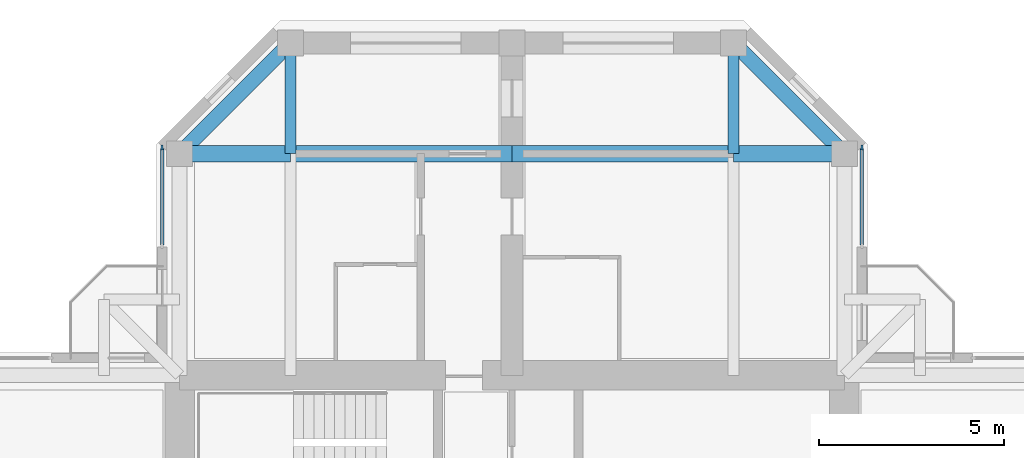
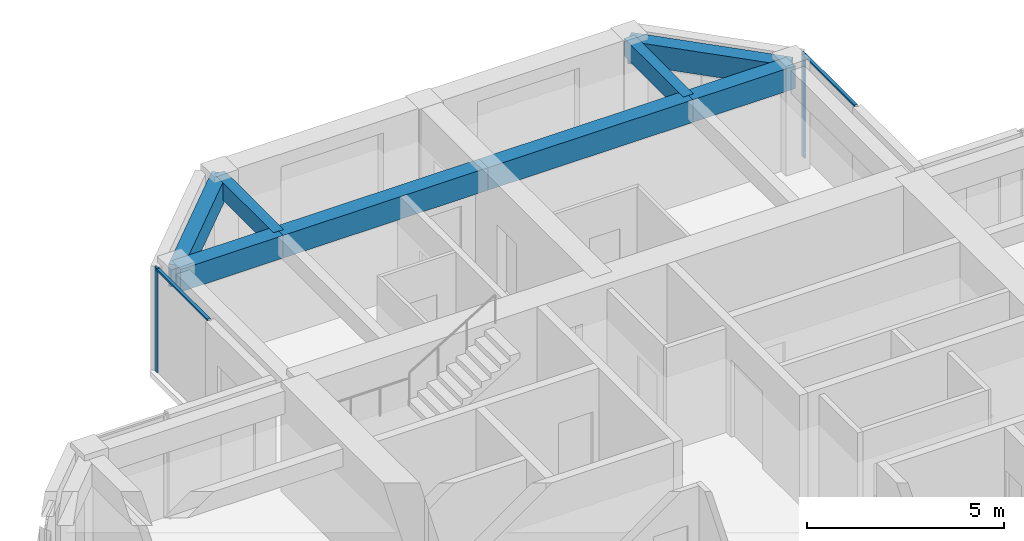
# One storey, part 6 of 13: 8 beams, 4 members, 2 elements without a shape of their own.
"""IFC4 building model written with IfcOpenShell, lengths in metres."""

from ifc_helpers import new_model, si_unit, direction, frame, origin, origin_2d, place, context, subcontext, project, spatial, rectangle, extrude, material, material_profile, profile_set, type_object, element, aggregate, save


model = new_model("IFC4")

# Units and contexts
model_context = context("Model", 3, precision=1e-05, world=origin(), true_north=direction((0.0, 1.0)))
body_context = subcontext(model_context, "Body", "Model", "MODEL_VIEW")
ifc_project = project(units=[si_unit("LENGTHUNIT", "METRE"), si_unit("AREAUNIT", "SQUARE_METRE"), si_unit("VOLUMEUNIT", "CUBIC_METRE"), si_unit("PLANEANGLEUNIT", "RADIAN"), si_unit("MASSUNIT", "GRAM", prefix="KILO")], contexts=[model_context])

# Site, building, storey
site_placement = place(None, origin())
site = spatial("IfcSite", under=ifc_project, at=site_placement, CompositionType="ELEMENT")
building_placement = place(site_placement, origin())
building = spatial("IfcBuilding", under=site, at=building_placement, Name="Torre Cruceta", CompositionType="ELEMENT")
storey_placement = place(building_placement, frame((0.0, 0.0, 271.300048828125)))
storey = spatial("IfcBuildingStorey", under=building, at=storey_placement, Name="L70", CompositionType="ELEMENT", Elevation=271.300048828125)

# Beams
ifc_material_1 = material(Name="Concrete G60 (fck 60 MPa)", Category="concrete")
ifc_material_profile_1 = material_profile(ifc_material_1, rectangle(XDim=0.300048828125, YDim=0.550048828125, at=origin_2d()), Name="RC 300X550")
ifc_profile_set_1 = profile_set([ifc_material_profile_1], Name="Concrete G60 (fck 60 MPa)")
beam_type_1 = type_object("IfcBeamType", Name="COLUMN LINE BEAM RC 300X550", PredefinedType="BEAM", material=ifc_profile_set_1)
for number, where, z_axis, x_axis, name in (
    (1, (6.0, 15.0, 2.945068359375), (0.0, 1.0, 0.0), (-1.0, 0.0, 0.0), "LB10 L70 N col- 2"),
    (2, (-6.0, 15.0, 2.945068359375), (0.0, 1.0, 0.0), (-1.0, 0.0, 0.0), "LB10 L70 N col+ 2"),
):
    element("IfcBeam", number, at=place(storey_placement, frame(where, z_axis=z_axis, x_axis=x_axis)), inside=storey, type_object=beam_type_1, Name=name, PredefinedType="BEAM", context=body_context, shape_type="SweptSolid", body=[
        extrude(rectangle(XDim=0.300048828125, YDim=0.550048828125, at=origin_2d()), origin(), (0.0, 0.0, 1.0), 3.0),
    ])
ifc_material_2 = material(Name="Concrete G60 (fck 60 MPa)", Category="concrete")
ifc_material_profile_2 = material_profile(ifc_material_2, rectangle(XDim=0.449951171875, YDim=0.699951171875, at=origin_2d()), Name="RC 450X700")
ifc_profile_set_2 = profile_set([ifc_material_profile_2], Name="Concrete G60 (fck 60 MPa)")
beam_type_2 = type_object("IfcBeamType", Name="CROSS BEAM RC 450X700", PredefinedType="BEAM", material=ifc_profile_set_2)
beam_1_placement = place(storey_placement, frame((9.0, 15.0, 2.869873046875), z_axis=(-1.0, 0.0, 0.0), x_axis=(0.0, -1.0, 0.0)))
element("IfcBeam", 3, at=beam_1_placement, inside=storey, type_object=beam_type_2, Name="GB8 L70 N cross15 1", PredefinedType="BEAM", context=body_context, shape_type="SweptSolid", body=[
    extrude(rectangle(XDim=0.449951171875, YDim=0.699951171875, at=origin_2d()), origin(), (0.0, 0.0, 1.0), 3.0),
])
for number, where, z_axis, x_axis, name in (
    (4, (6.0, 15.0, 2.869873046875), (-1.0, 0.0, 0.0), (0.0, -1.0, 0.0), "GB8 L70 N cross15 2"),
    (5, (0.0, 15.0, 2.869873046875), (-1.0, 0.0, 0.0), (0.0, -1.0, 0.0), "GB8 L70 N cross15 3"),
):
    element("IfcBeam", number, at=place(storey_placement, frame(where, z_axis=z_axis, x_axis=x_axis)), inside=storey, type_object=beam_type_2, Name=name, PredefinedType="BEAM", context=body_context, shape_type="SweptSolid", body=[
        extrude(rectangle(XDim=0.449951171875, YDim=0.699951171875, at=origin_2d()), origin(), (0.0, 0.0, 1.0), 6.0),
    ])
beam_2_placement = place(storey_placement, frame((-6.0, 15.0, 2.869873046875), z_axis=(-1.0, 0.0, 0.0), x_axis=(0.0, -1.0, 0.0)))
element("IfcBeam", 6, at=beam_2_placement, inside=storey, type_object=beam_type_2, Name="GB8 L70 N cross15 4", PredefinedType="BEAM", context=body_context, shape_type="SweptSolid", body=[
    extrude(rectangle(XDim=0.449951171875, YDim=0.699951171875, at=origin_2d()), origin(), (0.0, 0.0, 1.0), 3.0),
])

# Curtain wall, member
ifc_material_3 = material(Name="Aluminium unitised curtain wall", Category="aluminium")
curtain_wall_type = type_object("IfcCurtainWallType", Name="CURTAIN WALL CW-E CO-LIVING TOP", PredefinedType="USERDEFINED", material=ifc_material_3)
curtain_wall_1_placement = place(storey_placement, origin())
curtain_wall_1 = element("IfcCurtainWall", 7, at=curtain_wall_1_placement, inside=storey, type_object=curtain_wall_type, Name="CW-E L70 N side 05", ObjectType="UNITISED", PredefinedType="USERDEFINED")
ifc_material_4 = material(Name="Aluminium mullion", Category="aluminium")
ifc_material_profile_3 = material_profile(ifc_material_4, rectangle(XDim=0.054931640625, YDim=0.139892578125, at=origin_2d()), Name="AL 55X140")
ifc_profile_set_3 = profile_set([ifc_material_profile_3], Name="Aluminium mullion")
member_type_1 = type_object("IfcMemberType", Name="CW-E MULLION 55X140", PredefinedType="MULLION", material=ifc_profile_set_3)
member_1_placement = place(storey_placement, frame((9.469970703125, 15.167236328125, 0.0), z_axis=(0.0, 0.0, 1.0), x_axis=(-1.0, 0.0, 0.0)))
member_1 = element("IfcMember", 8, at=member_1_placement, type_object=member_type_1, Name="CW-E mullion 2", PredefinedType="MULLION", context=body_context, shape_type="SweptSolid", body=[
    extrude(rectangle(XDim=0.054931640625, YDim=0.139892578125, at=origin_2d()), origin(), (0.0, 0.0, 1.0), 3.219970703125),
])

curtain_wall_2_placement = place(storey_placement, origin())
curtain_wall_2 = element("IfcCurtainWall", 9, at=curtain_wall_2_placement, inside=storey, type_object=curtain_wall_type, Name="CW-E L70 N side 09", ObjectType="UNITISED", PredefinedType="USERDEFINED")
member_2_placement = place(storey_placement, frame((-9.469970703125, 15.167236328125, 0.0), z_axis=(0.0, 0.0, 1.0), x_axis=(1.0, 0.0, 0.0)))
member_2 = element("IfcMember", 10, at=member_2_placement, type_object=member_type_1, Name="CW-E mullion 1", PredefinedType="MULLION", context=body_context, shape_type="SweptSolid", body=[
    extrude(rectangle(XDim=0.054931640625, YDim=0.139892578125, at=origin_2d()), origin(), (0.0, 0.0, 1.0), 3.219970703125),
])

# Member
ifc_material_5 = material(Name="Aluminium transom", Category="aluminium")
ifc_material_profile_4 = material_profile(ifc_material_5, rectangle(XDim=0.090087890625, YDim=0.054931640625, at=origin_2d()), Name="AL 90X55")
ifc_profile_set_4 = profile_set([ifc_material_profile_4], Name="Aluminium transom")
member_type_2 = type_object("IfcMemberType", Name="CW-E TRANSOM 55X90", PredefinedType="USERDEFINED", material=ifc_profile_set_4)
member_3_placement = place(storey_placement, frame((9.469970703125, 12.52490234375, 3.1923828125), z_axis=(0.0, 1.0, 0.0), x_axis=(-1.0, 0.0, 0.0)))
member_3 = element("IfcMember", 11, at=member_3_placement, type_object=member_type_2, Name="CW-E transom 1", ObjectType="TRANSOM", PredefinedType="USERDEFINED", context=body_context, shape_type="SweptSolid", body=[
    extrude(rectangle(XDim=0.090087890625, YDim=0.054931640625, at=origin_2d()), origin(), (0.0, 0.0, 1.0), 2.61474609375),
])

aggregate(curtain_wall_1, [member_1, member_3])

member_4_placement = place(storey_placement, frame((-9.469970703125, 15.1396484375, 3.1923828125), z_axis=(0.0, -1.0, 0.0), x_axis=(1.0, 0.0, 0.0)))
member_4 = element("IfcMember", 12, at=member_4_placement, type_object=member_type_2, Name="CW-E transom 1", ObjectType="TRANSOM", PredefinedType="USERDEFINED", context=body_context, shape_type="SweptSolid", body=[
    extrude(rectangle(XDim=0.090087890625, YDim=0.054931640625, at=origin_2d()), origin(), (0.0, 0.0, 1.0), 2.61474609375),
])

aggregate(curtain_wall_2, [member_2, member_4])

# Beams
ifc_material_6 = material(Name="Concrete G60 (fck 60 MPa)", Category="concrete")
ifc_material_profile_5 = material_profile(ifc_material_6, rectangle(XDim=0.39990234375, YDim=0.699951171875, at=origin_2d()), Name="RC 400X700")
ifc_profile_set_5 = profile_set([ifc_material_profile_5], Name="Concrete G60 (fck 60 MPa)")
beam_type_3 = type_object("IfcBeamType", Name="SPANDREL BEAM RC 400X700", PredefinedType="SPANDREL", material=ifc_profile_set_5)
for number, where, z_axis, x_axis, name in (
    (13, (9.0, 15.0, 2.869873046875), (-0.707106781187, 0.707106781187, 0.0), (-0.707106781187, -0.707106781187, 0.0), "SB8 L70 N side- 2"),
    (14, (-9.0, 15.0, 2.869873046875), (0.707106781187, 0.707106781187, 0.0), (-0.707106781187, 0.707106781187, 0.0), "SB8 L70 N side+ 2"),
):
    element("IfcBeam", number, at=place(storey_placement, frame(where, z_axis=z_axis, x_axis=x_axis)), inside=storey, type_object=beam_type_3, Name=name, PredefinedType="SPANDREL", context=body_context, shape_type="SweptSolid", body=[
        extrude(rectangle(XDim=0.39990234375, YDim=0.699951171875, at=origin_2d()), origin(), (0.0, 0.0, 1.0), 4.24267578125),
    ])

save(model, "model.ifc")
